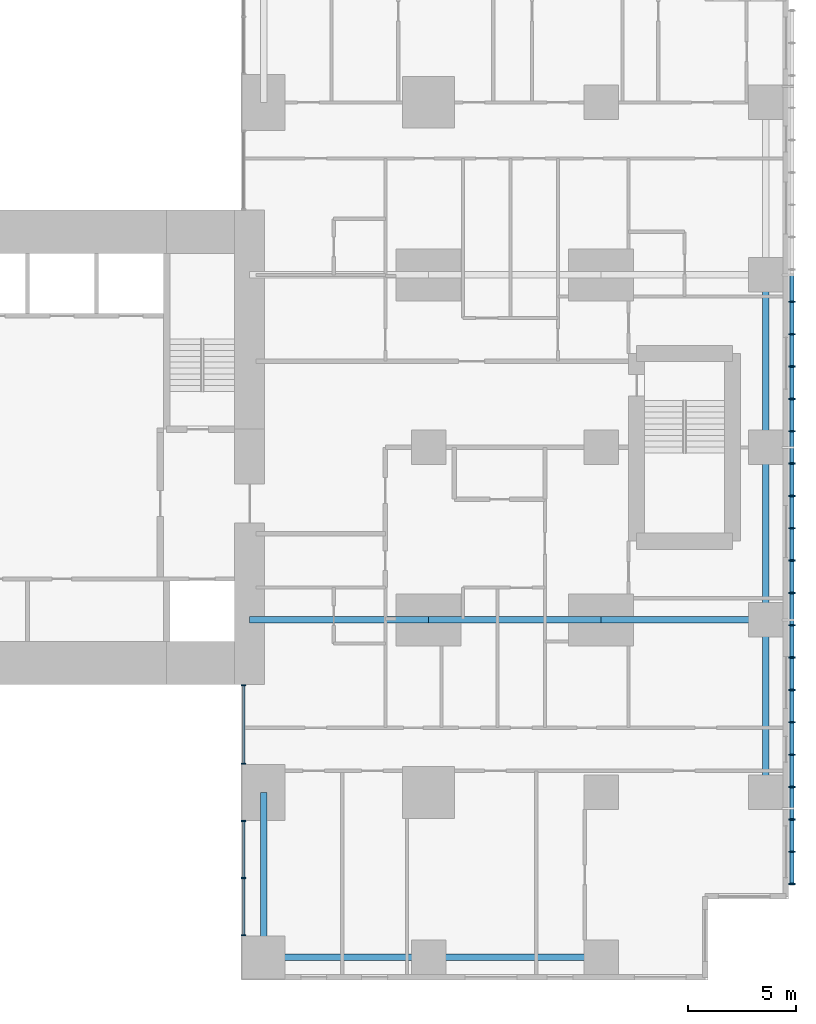
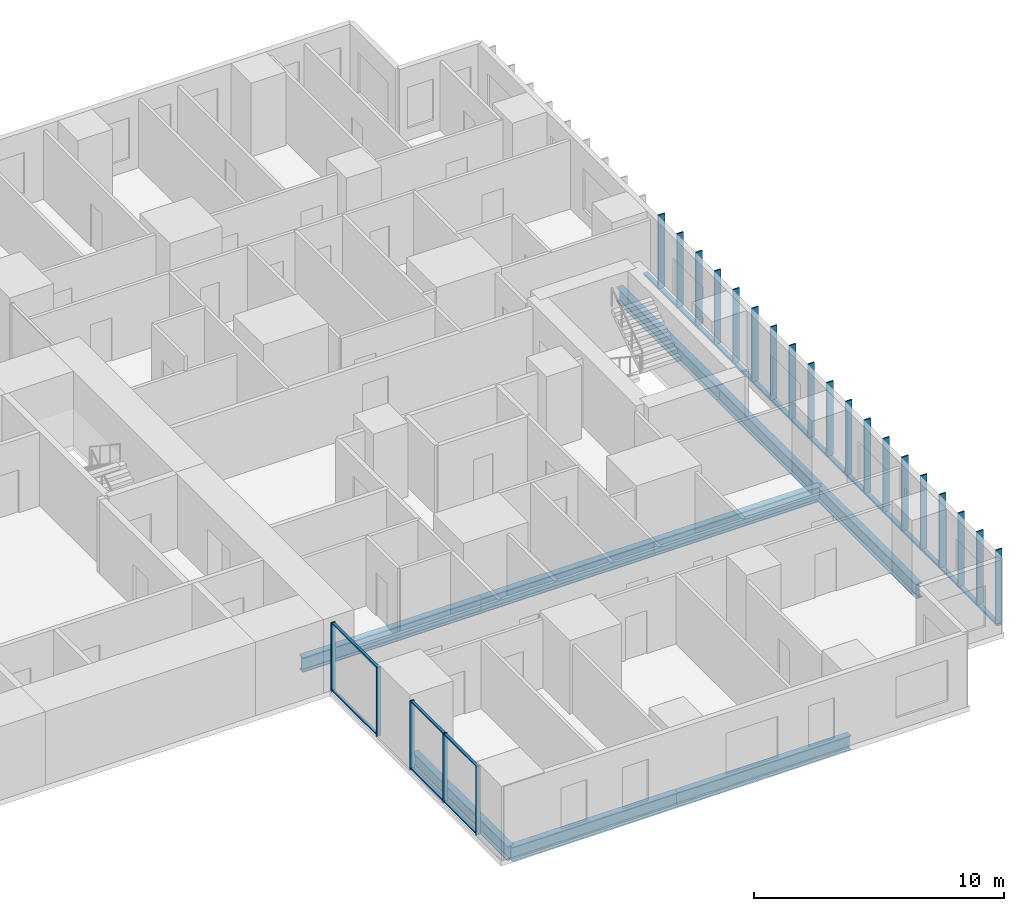
# One storey, part 2 of 12: 33 members, 9 beams, 2 elements without a shape of their own.
"""IFC4 building model written with IfcOpenShell, lengths in metres."""

from ifc_helpers import new_model, si_unit, direction, frame, origin, origin_2d, place, context, subcontext, project, spatial, rectangle, hollow_rectangle, i_section, extrude, material, layer, layer_set, material_profile, profile_set, type_object, element, aggregate, save


model = new_model("IFC4")

# Units and contexts
model_context = context("Model", 3, precision=1e-05, world=origin(), true_north=direction((0.0, 1.0)))
body_context = subcontext(model_context, "Body", "Model", "MODEL_VIEW")
ifc_project = project(units=[si_unit("LENGTHUNIT", "METRE"), si_unit("AREAUNIT", "SQUARE_METRE"), si_unit("VOLUMEUNIT", "CUBIC_METRE"), si_unit("PLANEANGLEUNIT", "RADIAN"), si_unit("MASSUNIT", "GRAM", prefix="KILO")], contexts=[model_context])

# Site, building, storey
site_placement = place(None, origin())
site = spatial("IfcSite", under=ifc_project, at=site_placement, CompositionType="ELEMENT")
building_placement = place(site_placement, origin())
building = spatial("IfcBuilding", under=site, at=building_placement, Name="Cleftline Residences", CompositionType="ELEMENT")
storey_placement = place(building_placement, frame((0.0, 0.0, 237.60009765625)))
storey = spatial("IfcBuildingStorey", under=building, at=storey_placement, Name="L62", CompositionType="ELEMENT", Elevation=237.60009765625)

# Members
ifc_material_1 = material(Name="Steel S355, hot-dip galvanised", Category="steel")
ifc_material_profile_1 = material_profile(ifc_material_1, hollow_rectangle(XDim=0.10009765625, YDim=0.199951171875, WallThickness=0.008056640625, InnerFilletRadius=0.008056640625, OuterFilletRadius=0.011962890625, at=origin_2d()))
ifc_profile_set_1 = profile_set([ifc_material_profile_1], Name="Steel S355, hot-dip galvanised")
member_type_1 = type_object("IfcMemberType", Name="BAGUETTE CARRIER RHS 200X100X8", PredefinedType="USERDEFINED", material=ifc_profile_set_1)
member_1_placement = place(storey_placement, frame((66.85009765625, 3.699951171875, -0.050048828125), z_axis=(0.0, 1.0, 0.0), x_axis=(0.0, 0.0, 1.0)))
element("IfcMember", 1, at=member_1_placement, inside=storey, type_object=member_type_1, Name="Baguette carrier", ObjectType="BAGUETTE CARRIER", PredefinedType="USERDEFINED", context=body_context, shape_type="SweptSolid", body=[
    extrude(hollow_rectangle(XDim=0.10009765625, YDim=0.199951171875, WallThickness=0.008056640625, InnerFilletRadius=0.008056640625, OuterFilletRadius=0.011962890625, at=origin_2d()), origin(), (0.0, 0.0, 1.0), 12.300048828125),
])
for number, where, z_axis, x_axis, name in (
    (2, (66.85009765625, 16.0, -0.050048828125), (0.0, 1.0, 0.0), (0.0, 0.0, 1.0), "Baguette carrier"),
    (3, (66.85009765625, 24.0, -0.050048828125), (0.0, 1.0, 0.0), (0.0, 0.0, 1.0), "Baguette carrier"),
):
    element("IfcMember", number, at=place(storey_placement, frame(where, z_axis=z_axis, x_axis=x_axis)), inside=storey, type_object=member_type_1, Name=name, ObjectType="BAGUETTE CARRIER", PredefinedType="USERDEFINED", context=body_context, shape_type="SweptSolid", body=[
        extrude(hollow_rectangle(XDim=0.10009765625, YDim=0.199951171875, WallThickness=0.008056640625, InnerFilletRadius=0.008056640625, OuterFilletRadius=0.011962890625, at=origin_2d()), origin(), (0.0, 0.0, 1.0), 8.0),
    ])

# Beams
ifc_material_2 = material(Name="Steel S355", Category="steel")
ifc_material_profile_2 = material_profile(ifc_material_2, i_section(OverallWidth=0.300048828125, OverallDepth=0.699951171875, WebThickness=0.01708984375, FlangeThickness=0.031982421875, FilletRadius=0.027099609375, at=origin_2d()))
ifc_profile_set_2 = profile_set([ifc_material_profile_2], Name="Steel S355")
beam_type_1 = type_object("IfcBeamType", Name="BEAM HEB 700", PredefinedType="BEAM", material=ifc_profile_set_2)
for number, where, z_axis, x_axis, name in (
    (4, (65.64990234375, 8.0, -0.60009765625), (0.0, 1.0, 0.0), (-1.0, 0.0, 0.0), "Edge beam"),
    (5, (65.64990234375, 16.0, -0.60009765625), (0.0, 1.0, 0.0), (-1.0, 0.0, 0.0), "Edge beam"),
    (6, (65.64990234375, 24.0, -0.60009765625), (0.0, 1.0, 0.0), (-1.0, 0.0, 0.0), "Edge beam"),
    (7, (58.0, 0.35009765625, -0.60009765625), (-1.0, 0.0, 0.0), (0.0, -1.0, 0.0), "Edge beam"),
):
    element("IfcBeam", number, at=place(storey_placement, frame(where, z_axis=z_axis, x_axis=x_axis)), inside=storey, type_object=beam_type_1, Name=name, PredefinedType="BEAM", context=body_context, shape_type="SweptSolid", body=[
        extrude(i_section(OverallWidth=0.300048828125, OverallDepth=0.699951171875, WebThickness=0.01708984375, FlangeThickness=0.031982421875, FilletRadius=0.027099609375, at=origin_2d()), origin(), (0.0, 0.0, 1.0), 8.0),
    ])
for number, where, z_axis, x_axis, name in (
    (8, (50.0, 0.35009765625, -0.60009765625), (-1.0, 0.0, 0.0), (0.0, -1.0, 0.0), "Edge beam"),
    (9, (42.35009765625, 0.35009765625, -0.60009765625), (0.0, 1.0, 0.0), (-1.0, 0.0, 0.0), "Edge beam"),
):
    element("IfcBeam", number, at=place(storey_placement, frame(where, z_axis=z_axis, x_axis=x_axis)), inside=storey, type_object=beam_type_1, Name=name, PredefinedType="BEAM", context=body_context, shape_type="SweptSolid", body=[
        extrude(i_section(OverallWidth=0.300048828125, OverallDepth=0.699951171875, WebThickness=0.01708984375, FlangeThickness=0.031982421875, FilletRadius=0.027099609375, at=origin_2d()), origin(), (0.0, 0.0, 1.0), 7.64990234375),
    ])
ifc_material_3 = material(Name="Steel S355", Category="steel")
ifc_material_profile_3 = material_profile(ifc_material_3, i_section(OverallWidth=0.303955078125, OverallDepth=0.716064453125, WebThickness=0.02099609375, FlangeThickness=0.0400390625, FilletRadius=0.027099609375, at=origin_2d()))
ifc_profile_set_3 = profile_set([ifc_material_profile_3], Name="Steel S355")
beam_type_2 = type_object("IfcBeamType", Name="BEAM HEM 700", PredefinedType="BEAM", material=ifc_profile_set_3)
beam_1_placement = place(storey_placement, frame((65.64990234375, 16.0, -0.608154296875), z_axis=(-1.0, 0.0, 0.0), x_axis=(0.0, -1.0, 0.0)))
element("IfcBeam", 10, at=beam_1_placement, inside=storey, type_object=beam_type_2, Name="Band beam", PredefinedType="BEAM", context=body_context, shape_type="SweptSolid", body=[
    extrude(i_section(OverallWidth=0.303955078125, OverallDepth=0.716064453125, WebThickness=0.02099609375, FlangeThickness=0.0400390625, FilletRadius=0.027099609375, at=origin_2d()), origin(), (0.0, 0.0, 1.0), 7.64990234375),
])
beam_2_placement = place(storey_placement, frame((58.0, 16.0, -0.608154296875), z_axis=(-1.0, 0.0, 0.0), x_axis=(0.0, -1.0, 0.0)))
element("IfcBeam", 11, at=beam_2_placement, inside=storey, type_object=beam_type_2, Name="Band beam", PredefinedType="BEAM", context=body_context, shape_type="SweptSolid", body=[
    extrude(i_section(OverallWidth=0.303955078125, OverallDepth=0.716064453125, WebThickness=0.02099609375, FlangeThickness=0.0400390625, FilletRadius=0.027099609375, at=origin_2d()), origin(), (0.0, 0.0, 1.0), 8.0),
])
beam_3_placement = place(storey_placement, frame((50.0, 16.0, -0.608154296875), z_axis=(-1.0, 0.0, 0.0), x_axis=(0.0, -1.0, 0.0)))
element("IfcBeam", 12, at=beam_3_placement, inside=storey, type_object=beam_type_2, Name="Band beam", PredefinedType="BEAM", context=body_context, shape_type="SweptSolid", body=[
    extrude(i_section(OverallWidth=0.303955078125, OverallDepth=0.716064453125, WebThickness=0.02099609375, FlangeThickness=0.0400390625, FilletRadius=0.027099609375, at=origin_2d()), origin(), (0.0, 0.0, 1.0), 8.300048828125),
])

# Curtain wall, members
ifc_material_4 = material(Name="Aluminium framed curtain wall", Category="aluminium")
ifc_layer = layer(ifc_material_4, 0.199951171875)
ifc_layer_set = layer_set([ifc_layer], Name="CW1 CLEFT GLAZING")
curtain_wall_type = type_object("IfcCurtainWallType", Name="CW1 CLEFT GLAZING", PredefinedType="NOTDEFINED", material=ifc_layer_set)
curtain_wall_1_placement = place(storey_placement, origin())
curtain_wall_1 = element("IfcCurtainWall", 13, at=curtain_wall_1_placement, inside=storey, type_object=curtain_wall_type, Name="Curtain wall CW1", PredefinedType="NOTDEFINED")
ifc_material_5 = material(Name="Aluminium mullion", Category="aluminium")
ifc_material_profile_4 = material_profile(ifc_material_5, rectangle(XDim=0.199951171875, YDim=0.06005859375, at=origin_2d()))
ifc_profile_set_4 = profile_set([ifc_material_profile_4], Name="Aluminium mullion")
member_type_2 = type_object("IfcMemberType", Name="CW1 MULLION", PredefinedType="MULLION", material=ifc_profile_set_4)
member_2_placement = place(storey_placement, frame((41.425048828125, 12.969970703125, 0.0), z_axis=(0.0, 0.0, 1.0), x_axis=(1.0, 0.0, 0.0)))
member_2 = element("IfcMember", 14, at=member_2_placement, type_object=member_type_2, Name="CW1 mullion 1", PredefinedType="MULLION", context=body_context, shape_type="SweptSolid", body=[
    extrude(rectangle(XDim=0.199951171875, YDim=0.06005859375, at=origin_2d()), origin(), (0.0, 0.0, 1.0), 3.349853515625),
])
member_3_placement = place(storey_placement, frame((41.425048828125, 9.330078125, 0.0), z_axis=(0.0, 0.0, 1.0), x_axis=(1.0, 0.0, 0.0)))
member_3 = element("IfcMember", 15, at=member_3_placement, type_object=member_type_2, Name="CW1 mullion 2", PredefinedType="MULLION", context=body_context, shape_type="SweptSolid", body=[
    extrude(rectangle(XDim=0.199951171875, YDim=0.06005859375, at=origin_2d()), origin(), (0.0, 0.0, 1.0), 3.349853515625),
])

curtain_wall_2_placement = place(storey_placement, origin())
curtain_wall_2 = element("IfcCurtainWall", 16, at=curtain_wall_2_placement, inside=storey, type_object=curtain_wall_type, Name="Curtain wall CW1", PredefinedType="NOTDEFINED")
member_4_placement = place(storey_placement, frame((41.425048828125, 6.669921875, 0.0), z_axis=(0.0, 0.0, 1.0), x_axis=(1.0, 0.0, 0.0)))
member_4 = element("IfcMember", 17, at=member_4_placement, type_object=member_type_2, Name="CW1 mullion 1", PredefinedType="MULLION", context=body_context, shape_type="SweptSolid", body=[
    extrude(rectangle(XDim=0.199951171875, YDim=0.06005859375, at=origin_2d()), origin(), (0.0, 0.0, 1.0), 3.349853515625),
])
member_5_placement = place(storey_placement, frame((41.425048828125, 4.02490234375, 0.0), z_axis=(0.0, 0.0, 1.0), x_axis=(1.0, 0.0, 0.0)))
member_5 = element("IfcMember", 18, at=member_5_placement, type_object=member_type_2, Name="CW1 mullion 2", PredefinedType="MULLION", context=body_context, shape_type="SweptSolid", body=[
    extrude(rectangle(XDim=0.199951171875, YDim=0.06005859375, at=origin_2d()), origin(), (0.0, 0.0, 1.0), 3.349853515625),
])
member_6_placement = place(storey_placement, frame((41.425048828125, 1.3798828125, 0.0), z_axis=(0.0, 0.0, 1.0), x_axis=(1.0, 0.0, 0.0)))
member_6 = element("IfcMember", 19, at=member_6_placement, type_object=member_type_2, Name="CW1 mullion 3", PredefinedType="MULLION", context=body_context, shape_type="SweptSolid", body=[
    extrude(rectangle(XDim=0.199951171875, YDim=0.06005859375, at=origin_2d()), origin(), (0.0, 0.0, 1.0), 3.349853515625),
])

# Member
ifc_material_6 = material(Name="Aluminium transom", Category="aluminium")
ifc_material_profile_5 = material_profile(ifc_material_6, rectangle(XDim=0.1201171875, YDim=0.06005859375, at=origin_2d()))
ifc_profile_set_5 = profile_set([ifc_material_profile_5], Name="Aluminium transom")
member_type_3 = type_object("IfcMemberType", Name="CW1 TRANSOM", PredefinedType="USERDEFINED", material=ifc_profile_set_5)
member_7_placement = place(storey_placement, frame((41.425048828125, 12.93994140625, 0.02978515625), z_axis=(0.0, -1.0, 0.0), x_axis=(1.0, 0.0, 0.0)))
member_7 = element("IfcMember", 20, at=member_7_placement, type_object=member_type_3, Name="CW1 transom 1.1", ObjectType="TRANSOM", PredefinedType="USERDEFINED", context=body_context, shape_type="SweptSolid", body=[
    extrude(rectangle(XDim=0.1201171875, YDim=0.06005859375, at=origin_2d()), origin(), (0.0, 0.0, 1.0), 3.579833984375),
])

member_8_placement = place(storey_placement, frame((41.425048828125, 12.93994140625, 3.31982421875), z_axis=(0.0, -1.0, 0.0), x_axis=(1.0, 0.0, 0.0)))
member_8 = element("IfcMember", 21, at=member_8_placement, type_object=member_type_3, Name="CW1 transom 1.2", ObjectType="TRANSOM", PredefinedType="USERDEFINED", context=body_context, shape_type="SweptSolid", body=[
    extrude(rectangle(XDim=0.1201171875, YDim=0.06005859375, at=origin_2d()), origin(), (0.0, 0.0, 1.0), 3.579833984375),
])

aggregate(curtain_wall_1, [member_2, member_3, member_7, member_8])

member_9_placement = place(storey_placement, frame((41.425048828125, 6.639892578125, 0.02978515625), z_axis=(0.0, -1.0, 0.0), x_axis=(1.0, 0.0, 0.0)))
member_9 = element("IfcMember", 22, at=member_9_placement, type_object=member_type_3, Name="CW1 transom 1.1", ObjectType="TRANSOM", PredefinedType="USERDEFINED", context=body_context, shape_type="SweptSolid", body=[
    extrude(rectangle(XDim=0.1201171875, YDim=0.06005859375, at=origin_2d()), origin(), (0.0, 0.0, 1.0), 2.5849609375),
])

member_10_placement = place(storey_placement, frame((41.425048828125, 6.639892578125, 3.31982421875), z_axis=(0.0, -1.0, 0.0), x_axis=(1.0, 0.0, 0.0)))
member_10 = element("IfcMember", 23, at=member_10_placement, type_object=member_type_3, Name="CW1 transom 1.2", ObjectType="TRANSOM", PredefinedType="USERDEFINED", context=body_context, shape_type="SweptSolid", body=[
    extrude(rectangle(XDim=0.1201171875, YDim=0.06005859375, at=origin_2d()), origin(), (0.0, 0.0, 1.0), 2.5849609375),
])

member_11_placement = place(storey_placement, frame((41.425048828125, 3.9951171875, 0.02978515625), z_axis=(0.0, -1.0, 0.0), x_axis=(1.0, 0.0, 0.0)))
member_11 = element("IfcMember", 24, at=member_11_placement, type_object=member_type_3, Name="CW1 transom 2.1", ObjectType="TRANSOM", PredefinedType="USERDEFINED", context=body_context, shape_type="SweptSolid", body=[
    extrude(rectangle(XDim=0.1201171875, YDim=0.06005859375, at=origin_2d()), origin(), (0.0, 0.0, 1.0), 2.585205078125),
])

member_12_placement = place(storey_placement, frame((41.425048828125, 3.9951171875, 3.31982421875), z_axis=(0.0, -1.0, 0.0), x_axis=(1.0, 0.0, 0.0)))
member_12 = element("IfcMember", 25, at=member_12_placement, type_object=member_type_3, Name="CW1 transom 2.2", ObjectType="TRANSOM", PredefinedType="USERDEFINED", context=body_context, shape_type="SweptSolid", body=[
    extrude(rectangle(XDim=0.1201171875, YDim=0.06005859375, at=origin_2d()), origin(), (0.0, 0.0, 1.0), 2.585205078125),
])

aggregate(curtain_wall_2, [member_4, member_5, member_6, member_9, member_10, member_11, member_12])

# Members
ifc_material_7 = material(Name="Extruded terracotta", Category="masonry")
ifc_material_profile_6 = material_profile(ifc_material_7, rectangle(XDim=0.06005859375, YDim=0.300048828125, at=origin_2d()))
ifc_profile_set_6 = profile_set([ifc_material_profile_6], Name="Extruded terracotta")
member_type_4 = type_object("IfcMemberType", Name="TERRACOTTA BAGUETTE 60X300", PredefinedType="USERDEFINED", material=ifc_profile_set_6)
for number, where, z_axis, x_axis, name in (
    (26, (66.85009765625, 3.75, 0.0), (0.0, 0.0, 1.0), (0.0, 1.0, 0.0), "Terracotta baguette"),
    (27, (66.85009765625, 5.25, 0.0), (0.0, 0.0, 1.0), (0.0, 1.0, 0.0), "Terracotta baguette"),
    (28, (66.85009765625, 6.75, 0.0), (0.0, 0.0, 1.0), (0.0, 1.0, 0.0), "Terracotta baguette"),
    (29, (66.85009765625, 8.25, 0.0), (0.0, 0.0, 1.0), (0.0, 1.0, 0.0), "Terracotta baguette"),
    (30, (66.85009765625, 9.75, 0.0), (0.0, 0.0, 1.0), (0.0, 1.0, 0.0), "Terracotta baguette"),
    (31, (66.85009765625, 11.25, 0.0), (0.0, 0.0, 1.0), (0.0, 1.0, 0.0), "Terracotta baguette"),
    (32, (66.85009765625, 12.75, 0.0), (0.0, 0.0, 1.0), (0.0, 1.0, 0.0), "Terracotta baguette"),
    (33, (66.85009765625, 14.25, 0.0), (0.0, 0.0, 1.0), (0.0, 1.0, 0.0), "Terracotta baguette"),
    (34, (66.85009765625, 15.75, 0.0), (0.0, 0.0, 1.0), (0.0, 1.0, 0.0), "Terracotta baguette"),
    (35, (66.85009765625, 17.25, 0.0), (0.0, 0.0, 1.0), (0.0, 1.0, 0.0), "Terracotta baguette"),
    (36, (66.85009765625, 18.75, 0.0), (0.0, 0.0, 1.0), (0.0, 1.0, 0.0), "Terracotta baguette"),
    (37, (66.85009765625, 20.25, 0.0), (0.0, 0.0, 1.0), (0.0, 1.0, 0.0), "Terracotta baguette"),
    (38, (66.85009765625, 21.75, 0.0), (0.0, 0.0, 1.0), (0.0, 1.0, 0.0), "Terracotta baguette"),
    (39, (66.85009765625, 23.25, 0.0), (0.0, 0.0, 1.0), (0.0, 1.0, 0.0), "Terracotta baguette"),
    (40, (66.85009765625, 24.75, 0.0), (0.0, 0.0, 1.0), (0.0, 1.0, 0.0), "Terracotta baguette"),
    (41, (66.85009765625, 26.25, 0.0), (0.0, 0.0, 1.0), (0.0, 1.0, 0.0), "Terracotta baguette"),
    (42, (66.85009765625, 27.75, 0.0), (0.0, 0.0, 1.0), (0.0, 1.0, 0.0), "Terracotta baguette"),
    (43, (66.85009765625, 29.25, 0.0), (0.0, 0.0, 1.0), (0.0, 1.0, 0.0), "Terracotta baguette"),
    (44, (66.85009765625, 30.75, 0.0), (0.0, 0.0, 1.0), (0.0, 1.0, 0.0), "Terracotta baguette"),
):
    element("IfcMember", number, at=place(storey_placement, frame(where, z_axis=z_axis, x_axis=x_axis)), inside=storey, type_object=member_type_4, Name=name, ObjectType="BAGUETTE", PredefinedType="USERDEFINED", context=body_context, shape_type="SweptSolid", body=[
        extrude(rectangle(XDim=0.06005859375, YDim=0.300048828125, at=origin_2d()), origin(), (0.0, 0.0, 1.0), 3.599853515625),
    ])

save(model, "model.ifc")
